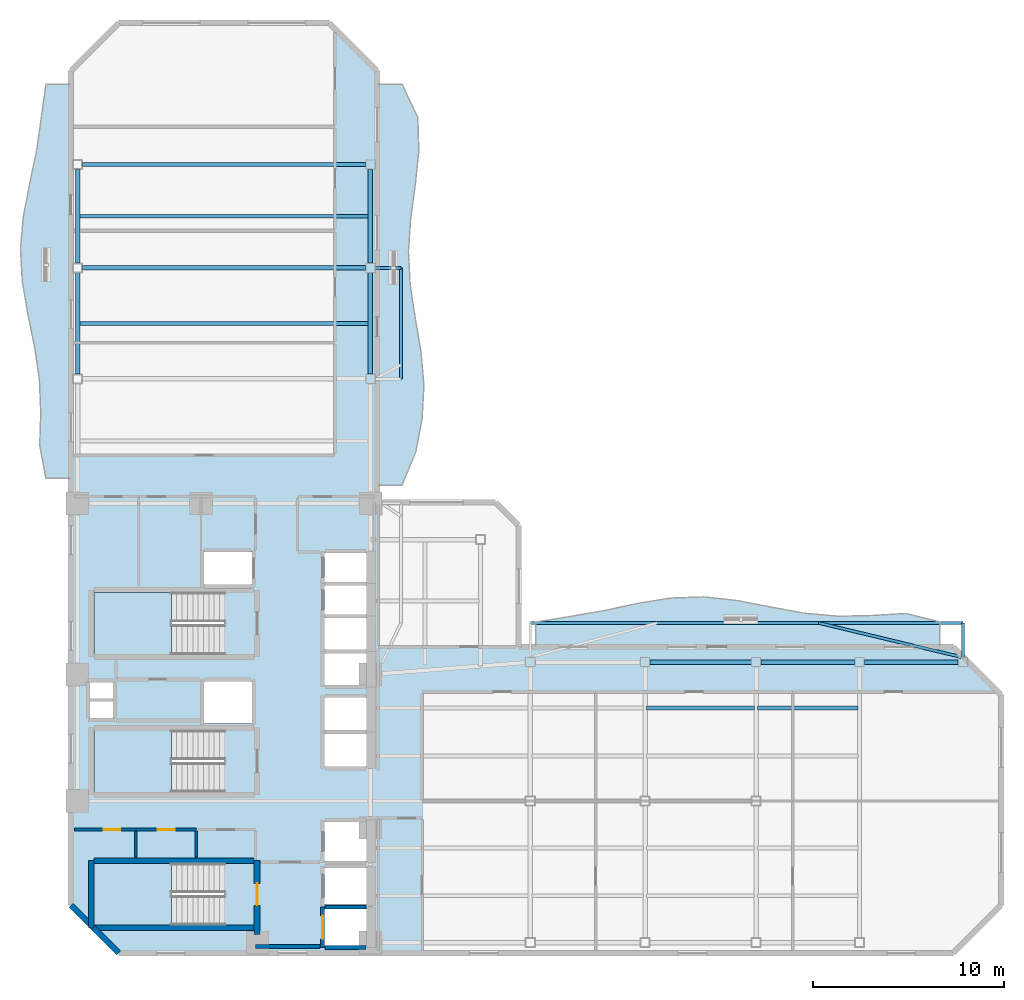
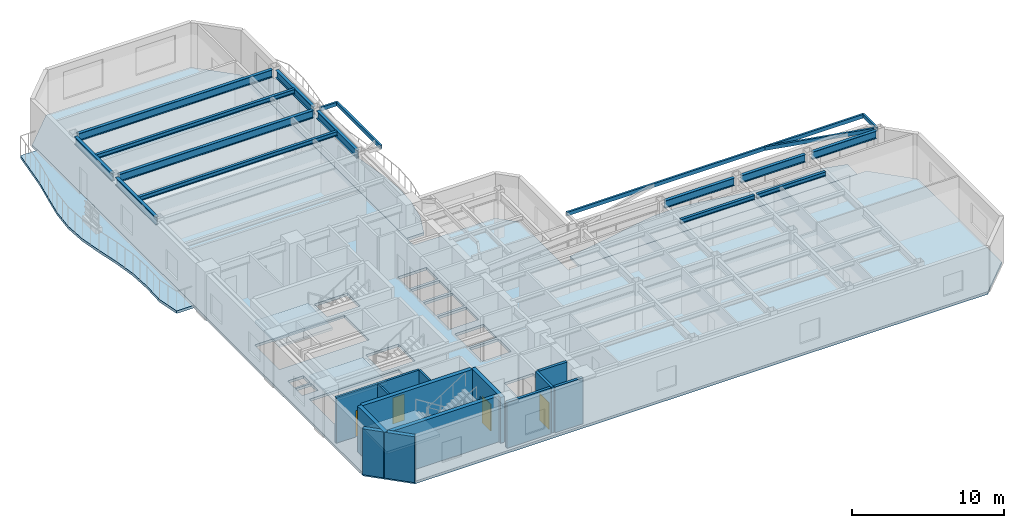
# One storey, part 2 of 9: 18 beams, 13 walls, 7 slabs, 4 doors, 4 openings, 3 elements without a shape of their own.
"""IFC4 building model written with IfcOpenShell, lengths in metres."""

from ifc_helpers import new_model, si_unit, direction, frame, frame_2d, origin, origin_2d, place, context, subcontext, project, spatial, polyline, rectangle, hollow_rectangle, i_section, outline, extrude, material, layer, layer_set, material_profile, profile_set, type_object, element, fill, aggregate, save


model = new_model("IFC4")

# Units and contexts
model_context = context("Model", 3, precision=1e-05, world=origin(), true_north=direction((0.0, 1.0)))
body_context = subcontext(model_context, "Body", "Model", "MODEL_VIEW")
ifc_project = project(units=[si_unit("LENGTHUNIT", "METRE"), si_unit("AREAUNIT", "SQUARE_METRE"), si_unit("VOLUMEUNIT", "CUBIC_METRE"), si_unit("PLANEANGLEUNIT", "RADIAN"), si_unit("MASSUNIT", "GRAM", prefix="KILO")], contexts=[model_context])

# Site, building, storey
site_placement = place(None, origin())
site = spatial("IfcSite", under=ifc_project, at=site_placement, CompositionType="ELEMENT")
building_placement = place(site_placement, origin())
building = spatial("IfcBuilding", under=site, at=building_placement, Name="Mawjaban Terraces University", CompositionType="ELEMENT")
storey_placement = place(building_placement, frame((0.0, 0.0, 154.10009765625)))
storey = spatial("IfcBuildingStorey", under=building, at=storey_placement, Name="L37", CompositionType="ELEMENT", Elevation=154.10009765625)

# Beams
ifc_material_1 = material(Name="Steel EN 10210-1 S355J2H", Category="steel")
ifc_material_profile_1 = material_profile(ifc_material_1, hollow_rectangle(XDim=0.14990234375, YDim=0.300048828125, WallThickness=0.012451171875, at=origin_2d()), Name="RHS300X150X12.5")
ifc_profile_set_1 = profile_set([ifc_material_profile_1], Name="Steel EN 10210-1 S355J2H")
beam_type_1 = type_object("IfcBeamType", Name="BalconyCantileverSpandrel_RHS", PredefinedType="SPANDREL", material=ifc_profile_set_1)
beam_1_placement = place(storey_placement, frame((68.60009765625, 15.449951171875, 3.539794921875), z_axis=(0.0, 1.0, 0.0), x_axis=(-1.0, 0.0, 0.0)))
element("IfcBeam", 1, at=beam_1_placement, inside=storey, type_object=beam_type_1, Name="L37 Exterior Outrigger BAL-L38-N.2", PredefinedType="SPANDREL", context=body_context, shape_type="SweptSolid", body=[
    extrude(hollow_rectangle(XDim=0.14990234375, YDim=0.300048828125, WallThickness=0.012451171875, at=origin_2d()), origin(), (0.0, 0.0, 1.0), 1.800048828125),
])
beam_2_placement = place(storey_placement, frame((46.0, 17.25, 3.539794921875), z_axis=(1.0, 0.0, 0.0), x_axis=(0.0, 1.0, 0.0)))
element("IfcBeam", 2, at=beam_2_placement, inside=storey, type_object=beam_type_1, Name="L37 Exterior Edge Spandrel BAL-L38-N", PredefinedType="SPANDREL", context=body_context, shape_type="SweptSolid", body=[
    extrude(hollow_rectangle(XDim=0.14990234375, YDim=0.300048828125, WallThickness=0.012451171875, at=origin_2d()), origin(), (0.0, 0.0, 1.0), 22.60009765625),
])
beam_3_placement = place(storey_placement, frame((68.60009765625, 15.449951171875, 3.539794921875), z_axis=(-0.972610352435, 0.232441610596, 0.0), x_axis=(-0.232441610596, -0.972610352435, 0.0)))
element("IfcBeam", 3, at=beam_3_placement, inside=storey, type_object=beam_type_1, Name="L37 Exterior Diagonal Strut BAL-L38-N.2", PredefinedType="SPANDREL", context=body_context, shape_type="SweptSolid", body=[
    extrude(hollow_rectangle(XDim=0.14990234375, YDim=0.300048828125, WallThickness=0.012451171875, at=origin_2d()), origin(), (0.0, 0.0, 1.0), 7.744140625),
])
beam_4_placement = place(storey_placement, frame((37.89990234375, 35.800048828125, 3.539794921875), z_axis=(1.0, 0.0, 0.0), x_axis=(0.0, 1.0, 0.0)))
element("IfcBeam", 4, at=beam_4_placement, inside=storey, type_object=beam_type_1, Name="L37 Exterior Outrigger BAL-L38-E.2", PredefinedType="SPANDREL", context=body_context, shape_type="SweptSolid", body=[
    extrude(hollow_rectangle(XDim=0.14990234375, YDim=0.300048828125, WallThickness=0.012451171875, at=origin_2d()), origin(), (0.0, 0.0, 1.0), 1.35009765625),
])
beam_5_placement = place(storey_placement, frame((39.25, 30.0, 3.539794921875), z_axis=(0.0, 1.0, 0.0), x_axis=(-1.0, 0.0, 0.0)))
element("IfcBeam", 5, at=beam_5_placement, inside=storey, type_object=beam_type_1, Name="L37 Exterior Edge Spandrel BAL-L38-E", PredefinedType="SPANDREL", context=body_context, shape_type="SweptSolid", body=[
    extrude(hollow_rectangle(XDim=0.14990234375, YDim=0.300048828125, WallThickness=0.012451171875, at=origin_2d()), origin(), (0.0, 0.0, 1.0), 5.800048828125),
])
ifc_material_2 = material(Name="Steel ASTM A572 Grade 50", Category="steel")
ifc_material_profile_2 = material_profile(ifc_material_2, i_section(OverallWidth=0.22998046875, OverallDepth=0.616943359375, WebThickness=0.01318359375, FlangeThickness=0.022216796875, at=origin_2d()), Name="W610X140")
ifc_profile_set_2 = profile_set([ifc_material_profile_2], Name="Steel ASTM A572 Grade 50")
beam_type_2 = type_object("IfcBeamType", Name="Beam_B_W610X140", PredefinedType="BEAM", material=ifc_profile_set_2)
beam_6_placement = place(storey_placement, frame((52.25, 15.199951171875, 3.380859375), z_axis=(1.0, 0.0, 0.0), x_axis=(0.0, 1.0, 0.0)))
element("IfcBeam", 6, at=beam_6_placement, inside=storey, type_object=beam_type_2, Name="L37 Beam BM-L37-EW-09", PredefinedType="BEAM", context=body_context, shape_type="SweptSolid", body=[
    extrude(i_section(OverallWidth=0.22998046875, OverallDepth=0.616943359375, WebThickness=0.01318359375, FlangeThickness=0.022216796875, at=origin_2d()), origin(), (0.0, 0.0, 1.0), 5.300048828125),
])
beam_7_placement = place(storey_placement, frame((58.050048828125, 15.199951171875, 3.380859375), z_axis=(1.0, 0.0, 0.0), x_axis=(0.0, 1.0, 0.0)))
element("IfcBeam", 7, at=beam_7_placement, inside=storey, type_object=beam_type_2, Name="L37 Beam BM-L37-EW-10", PredefinedType="BEAM", context=body_context, shape_type="SweptSolid", body=[
    extrude(i_section(OverallWidth=0.22998046875, OverallDepth=0.616943359375, WebThickness=0.01318359375, FlangeThickness=0.022216796875, at=origin_2d()), origin(), (0.0, 0.0, 1.0), 4.89990234375),
])
beam_8_placement = place(storey_placement, frame((63.449951171875, 15.199951171875, 3.380859375), z_axis=(1.0, 0.0, 0.0), x_axis=(0.0, 1.0, 0.0)))
element("IfcBeam", 8, at=beam_8_placement, inside=storey, type_object=beam_type_2, Name="L37 Beam BM-L37-EW-11", PredefinedType="BEAM", context=body_context, shape_type="SweptSolid", body=[
    extrude(i_section(OverallWidth=0.22998046875, OverallDepth=0.616943359375, WebThickness=0.01318359375, FlangeThickness=0.022216796875, at=origin_2d()), origin(), (0.0, 0.0, 1.0), 4.900146484375),
])
for number, where, z_axis, x_axis, name in (
    (9, (22.60009765625, 35.800048828125, 3.380859375), (1.0, 0.0, 0.0), (0.0, 1.0, 0.0), "L37 Beam BM-L37-EW-15"),
    (10, (22.60009765625, 41.199951171875, 3.380859375), (1.0, 0.0, 0.0), (0.0, 1.0, 0.0), "L37 Beam BM-L37-EW-16"),
):
    element("IfcBeam", number, at=place(storey_placement, frame(where, z_axis=z_axis, x_axis=x_axis)), inside=storey, type_object=beam_type_2, Name=name, PredefinedType="BEAM", context=body_context, shape_type="SweptSolid", body=[
        extrude(i_section(OverallWidth=0.22998046875, OverallDepth=0.616943359375, WebThickness=0.01318359375, FlangeThickness=0.022216796875, at=origin_2d()), origin(), (0.0, 0.0, 1.0), 14.7998046875),
    ])
beam_9_placement = place(storey_placement, frame((22.35009765625, 30.25, 3.380859375), z_axis=(0.0, 1.0, 0.0), x_axis=(-1.0, 0.0, 0.0)))
element("IfcBeam", 11, at=beam_9_placement, inside=storey, type_object=beam_type_2, Name="L37 Beam BM-L37-NS-04", PredefinedType="BEAM", context=body_context, shape_type="SweptSolid", body=[
    extrude(i_section(OverallWidth=0.22998046875, OverallDepth=0.616943359375, WebThickness=0.01318359375, FlangeThickness=0.022216796875, at=origin_2d()), origin(), (0.0, 0.0, 1.0), 5.300048828125),
])
beam_10_placement = place(storey_placement, frame((22.35009765625, 36.050048828125, 3.380859375), z_axis=(0.0, 1.0, 0.0), x_axis=(-1.0, 0.0, 0.0)))
element("IfcBeam", 12, at=beam_10_placement, inside=storey, type_object=beam_type_2, Name="L37 Beam BM-L37-NS-05", PredefinedType="BEAM", context=body_context, shape_type="SweptSolid", body=[
    extrude(i_section(OverallWidth=0.22998046875, OverallDepth=0.616943359375, WebThickness=0.01318359375, FlangeThickness=0.022216796875, at=origin_2d()), origin(), (0.0, 0.0, 1.0), 4.89990234375),
])
beam_11_placement = place(storey_placement, frame((37.64990234375, 30.25, 3.380859375), z_axis=(0.0, 1.0, 0.0), x_axis=(-1.0, 0.0, 0.0)))
element("IfcBeam", 13, at=beam_11_placement, inside=storey, type_object=beam_type_2, Name="L37 Beam BM-L37-NS-10", PredefinedType="BEAM", context=body_context, shape_type="SweptSolid", body=[
    extrude(i_section(OverallWidth=0.22998046875, OverallDepth=0.616943359375, WebThickness=0.01318359375, FlangeThickness=0.022216796875, at=origin_2d()), origin(), (0.0, 0.0, 1.0), 5.300048828125),
])
beam_12_placement = place(storey_placement, frame((37.64990234375, 36.050048828125, 3.380859375), z_axis=(0.0, 1.0, 0.0), x_axis=(-1.0, 0.0, 0.0)))
element("IfcBeam", 14, at=beam_12_placement, inside=storey, type_object=beam_type_2, Name="L37 Beam BM-L37-NS-11", PredefinedType="BEAM", context=body_context, shape_type="SweptSolid", body=[
    extrude(i_section(OverallWidth=0.22998046875, OverallDepth=0.616943359375, WebThickness=0.01318359375, FlangeThickness=0.022216796875, at=origin_2d()), origin(), (0.0, 0.0, 1.0), 4.89990234375),
])
ifc_material_profile_3 = material_profile(ifc_material_2, i_section(OverallWidth=0.202880859375, OverallDepth=0.346923828125, WebThickness=0.0078125, FlangeThickness=0.013427734375, at=origin_2d()), Name="W360X64")
ifc_profile_set_3 = profile_set([ifc_material_profile_3], Name="Steel ASTM A572 Grade 50")
beam_type_3 = type_object("IfcBeamType", Name="Beam_J_W360X64", PredefinedType="JOIST", material=ifc_profile_set_3)
beam_13_placement = place(storey_placement, frame((52.080078125, 12.800048828125, 3.516845703125), z_axis=(1.0, 0.0, 0.0), x_axis=(0.0, 1.0, 0.0)))
element("IfcBeam", 15, at=beam_13_placement, inside=storey, type_object=beam_type_3, Name="L37 Composite Joist JST-L37-15", PredefinedType="JOIST", context=body_context, shape_type="SweptSolid", body=[
    extrude(i_section(OverallWidth=0.202880859375, OverallDepth=0.346923828125, WebThickness=0.0078125, FlangeThickness=0.013427734375, at=origin_2d()), origin(), (0.0, 0.0, 1.0), 5.639892578125),
])
beam_14_placement = place(storey_placement, frame((57.8798828125, 12.800048828125, 3.516845703125), z_axis=(1.0, 0.0, 0.0), x_axis=(0.0, 1.0, 0.0)))
element("IfcBeam", 16, at=beam_14_placement, inside=storey, type_object=beam_type_3, Name="L37 Composite Joist JST-L37-16", PredefinedType="JOIST", context=body_context, shape_type="SweptSolid", body=[
    extrude(i_section(OverallWidth=0.202880859375, OverallDepth=0.346923828125, WebThickness=0.0078125, FlangeThickness=0.013427734375, at=origin_2d()), origin(), (0.0, 0.0, 1.0), 5.240234375),
])
for number, where, z_axis, x_axis, name in (
    (17, (22.429931640625, 32.89990234375, 3.516845703125), (1.0, 0.0, 0.0), (0.0, 1.0, 0.0), "L37 Composite Joist JST-L37-19"),
    (18, (22.429931640625, 38.5, 3.516845703125), (1.0, 0.0, 0.0), (0.0, 1.0, 0.0), "L37 Composite Joist JST-L37-20"),
):
    element("IfcBeam", number, at=place(storey_placement, frame(where, z_axis=z_axis, x_axis=x_axis)), inside=storey, type_object=beam_type_3, Name=name, PredefinedType="JOIST", context=body_context, shape_type="SweptSolid", body=[
        extrude(i_section(OverallWidth=0.202880859375, OverallDepth=0.346923828125, WebThickness=0.0078125, FlangeThickness=0.013427734375, at=origin_2d()), origin(), (0.0, 0.0, 1.0), 15.14013671875),
    ])

# Slabs
ifc_material_3 = material(Name="Concrete C40/50", Category="concrete")
ifc_layer_1 = layer(ifc_material_3, 0.2099609375)
ifc_layer_set_1 = layer_set([ifc_layer_1], Name="Concrete C40/50")
slab_type_1 = type_object("IfcSlabType", Name="BalconySlab_210_Ext", PredefinedType="FLOOR", material=ifc_layer_set_1)
slab_1_placement = place(storey_placement, frame((0.0, 0.0, -0.210205078125)))
element("IfcSlab", 19, at=slab_1_placement, inside=storey, type_object=slab_type_1, Name="L37 Planted Balcony Slab west", PredefinedType="FLOOR", context=body_context, shape_type="SweptSolid", body=[
    extrude(outline(polyline([(22.010009765625, 24.800048828125), (22.010009765625, 45.39990234375), (20.699951171875, 45.39990234375), (20.4599609375, 43.68310546875), (20.214111328125, 41.967041015625), (19.85693359375, 40.25), (19.52392578125, 38.532958984375), (19.365966796875, 36.81689453125), (19.458984375, 35.10009765625), (19.7529296875, 33.383056640625), (20.10498046875, 31.6669921875), (20.35595703125, 29.949951171875), (20.425048828125, 28.23291015625), (20.37109375, 26.51708984375), (20.699951171875, 24.800048828125), (22.010009765625, 24.800048828125)])), origin(), (0.0, 0.0, 1.0), 0.210205078125),
])
slab_2_placement = place(storey_placement, frame((0.0, 0.0, -0.210205078125)))
element("IfcSlab", 20, at=slab_2_placement, inside=storey, type_object=slab_type_1, Name="L37 Planted Balcony Slab inner_north", PredefinedType="FLOOR", context=body_context, shape_type="SweptSolid", body=[
    extrude(outline(polyline([(46.2939453125, 15.989990234375), (67.39990234375, 15.989990234375), (67.39990234375, 17.300048828125), (65.64111328125, 17.74609375), (63.882080078125, 17.639892578125), (62.1240234375, 17.60009765625), (60.364990234375, 17.7529296875), (58.60595703125, 18.072021484375), (56.846923828125, 18.416015625), (55.087890625, 18.610107421875), (53.3291015625, 18.550048828125), (51.570068359375, 18.262939453125), (49.81201171875, 17.886962890625), (48.052978515625, 17.5830078125), (46.2939453125, 17.300048828125), (46.2939453125, 15.989990234375)])), origin(), (0.0, 0.0, 1.0), 0.210205078125),
])
slab_3_placement = place(storey_placement, frame((0.0, 0.0, -0.210205078125)))
element("IfcSlab", 21, at=slab_3_placement, inside=storey, type_object=slab_type_1, Name="L37 Planted Balcony Slab inner_east", PredefinedType="FLOOR", context=body_context, shape_type="SweptSolid", body=[
    extrude(outline(polyline([(39.300048828125, 24.449951171875), (40.02490234375, 26.196044921875), (40.35107421875, 27.94189453125), (40.444091796875, 29.68798828125), (40.2890625, 31.43310546875), (39.991943359375, 33.178955078125), (39.72607421875, 34.925048828125), (39.635009765625, 36.6708984375), (39.757080078125, 38.4169921875), (39.9970703125, 40.162109375), (40.177001953125, 41.907958984375), (40.1259765625, 43.654052734375), (39.300048828125, 45.39990234375), (37.989990234375, 45.39990234375), (37.989990234375, 24.449951171875), (39.300048828125, 24.449951171875)])), origin(), (0.0, 0.0, 1.0), 0.210205078125),
])
ifc_layer_2 = layer(ifc_material_3, 0.2099609375)
ifc_layer_set_2 = layer_set([ifc_layer_2], Name="Concrete C40/50")
slab_type_2 = type_object("IfcSlabType", Name="CompositeSlab_210", PredefinedType="FLOOR", material=ifc_layer_set_2)
slab_4_placement = place(storey_placement, frame((0.0, 0.0, -0.210205078125)))
element("IfcSlab", 22, at=slab_4_placement, inside=storey, type_object=slab_type_2, Name="L37 Primary Structural Slab", PredefinedType="FLOOR", context=body_context, shape_type="SweptSolid", body=[
    extrude(outline(polyline([(24.5, 0.0), (68.10009765625, 0.0), (70.60009765625, 2.5), (70.60009765625, 13.5), (68.10009765625, 16.0), (45.39404296875, 16.0), (45.39404296875, 22.35009765625), (44.194091796875, 23.550048828125), (38.0, 23.550048828125), (38.0, 46.10009765625), (35.5, 48.60009765625), (24.5, 48.60009765625), (22.0, 46.10009765625), (22.0, 2.5), (24.5, 0.0)]), holes=[polyline([(30.014892578125, 4.699951171875), (23.199951171875, 4.699951171875), (23.199951171875, 1.449951171875), (30.014892578125, 1.449951171875), (30.014892578125, 4.699951171875)]), polyline([(30.014892578125, 18.85009765625), (23.199951171875, 18.85009765625), (23.199951171875, 15.60009765625), (30.014892578125, 15.60009765625), (30.014892578125, 18.85009765625)]), polyline([(30.014892578125, 11.64990234375), (23.199951171875, 11.64990234375), (23.199951171875, 8.39990234375), (30.014892578125, 8.39990234375), (30.014892578125, 11.64990234375)]), polyline([(35.25, 0.39990234375), (37.449951171875, 0.39990234375), (37.449951171875, 2.300048828125), (35.25, 2.300048828125), (35.25, 0.39990234375)]), polyline([(35.25, 2.550048828125), (37.449951171875, 2.550048828125), (37.449951171875, 4.449951171875), (35.25, 4.449951171875), (35.25, 2.550048828125)]), polyline([(35.25, 4.800048828125), (37.449951171875, 4.800048828125), (37.449951171875, 6.85009765625), (35.25, 6.85009765625), (35.25, 4.800048828125)]), polyline([(35.25, 9.75), (37.449951171875, 9.75), (37.449951171875, 11.449951171875), (35.25, 11.449951171875), (35.25, 9.75)]), polyline([(35.25, 11.64990234375), (37.449951171875, 11.64990234375), (37.449951171875, 13.35009765625), (35.25, 13.35009765625), (35.25, 11.64990234375)]), polyline([(28.949951171875, 12.0), (31.449951171875, 12.0), (31.449951171875, 14.199951171875), (28.949951171875, 14.199951171875), (28.949951171875, 12.0)]), polyline([(35.25, 14.0), (37.449951171875, 14.0), (37.449951171875, 15.64990234375), (35.25, 15.64990234375), (35.25, 14.0)]), polyline([(35.25, 15.85009765625), (37.449951171875, 15.85009765625), (37.449951171875, 17.5), (35.25, 17.5), (35.25, 15.85009765625)]), polyline([(35.25, 17.699951171875), (37.449951171875, 17.699951171875), (37.449951171875, 19.199951171875), (35.25, 19.199951171875), (35.25, 17.699951171875)]), polyline([(35.25, 19.39990234375), (37.449951171875, 19.39990234375), (37.449951171875, 20.89990234375), (35.25, 20.89990234375), (35.25, 19.39990234375)]), polyline([(28.949951171875, 19.25), (31.449951171875, 19.25), (31.449951171875, 20.949951171875), (28.949951171875, 20.949951171875), (28.949951171875, 19.25)]), polyline([(23.0, 12.25), (24.199951171875, 12.25), (24.199951171875, 13.14990234375), (23.0, 13.14990234375), (23.0, 12.25)]), polyline([(23.0, 13.300048828125), (24.199951171875, 13.300048828125), (24.199951171875, 14.179931640625), (23.0, 14.179931640625), (23.0, 13.300048828125)])]), origin(), (0.0, 0.0, 1.0), 0.210205078125),
])

# Stair, slab
stair_type = type_object("IfcStairType", Name="Stair_Core1550_H39", PredefinedType="HALF_TURN_STAIR", material=ifc_material_3)
stair_1_placement = place(storey_placement, origin())
stair_1 = element("IfcStair", 23, at=stair_1_placement, inside=storey, type_object=stair_type, Name="L37 Core Exit Stair 1", PredefinedType="HALF_TURN_STAIR")
ifc_layer_3 = layer(ifc_material_3, 0.199951171875)
ifc_layer_set_3 = layer_set([ifc_layer_3], Name="Concrete C40/50")
slab_type_3 = type_object("IfcSlabType", Name="StairLandingSlab_200", PredefinedType="LANDING", material=ifc_layer_set_3)
slab_5_placement = place(storey_placement, frame((0.0, 0.0, 1.75)))
slab_5 = element("IfcSlab", 24, at=slab_5_placement, type_object=slab_type_3, Name="ST-1 landing 1", PredefinedType="LANDING", context=body_context, shape_type="SweptSolid", body=[
    extrude(outline(polyline([(27.25, 4.699951171875), (23.199951171875, 4.699951171875), (23.199951171875, 1.449951171875), (27.25, 1.449951171875), (27.25, 4.699951171875)])), origin(), (0.0, 0.0, 1.0), 0.199951171875),
])
aggregate(stair_1, [slab_5])

stair_2_placement = place(storey_placement, origin())
stair_2 = element("IfcStair", 25, at=stair_2_placement, inside=storey, type_object=stair_type, Name="L37 Core Exit Stair 2", PredefinedType="HALF_TURN_STAIR")
slab_6_placement = place(storey_placement, frame((0.0, 0.0, 1.75)))
slab_6 = element("IfcSlab", 26, at=slab_6_placement, type_object=slab_type_3, Name="ST-2 landing 1", PredefinedType="LANDING", context=body_context, shape_type="SweptSolid", body=[
    extrude(outline(polyline([(27.25, 18.85009765625), (23.199951171875, 18.85009765625), (23.199951171875, 15.60009765625), (27.25, 15.60009765625), (27.25, 18.85009765625)])), origin(), (0.0, 0.0, 1.0), 0.199951171875),
])
aggregate(stair_2, [slab_6])

stair_3_placement = place(storey_placement, origin())
stair_3 = element("IfcStair", 27, at=stair_3_placement, inside=storey, type_object=stair_type, Name="L37 Core Exit Stair 3", PredefinedType="HALF_TURN_STAIR")
slab_7_placement = place(storey_placement, frame((0.0, 0.0, 1.75)))
slab_7 = element("IfcSlab", 28, at=slab_7_placement, type_object=slab_type_3, Name="ST-3 landing 1", PredefinedType="LANDING", context=body_context, shape_type="SweptSolid", body=[
    extrude(outline(polyline([(27.25, 11.64990234375), (23.199951171875, 11.64990234375), (23.199951171875, 8.39990234375), (27.25, 8.39990234375), (27.25, 11.64990234375)])), origin(), (0.0, 0.0, 1.0), 0.199951171875),
])
aggregate(stair_3, [slab_7])

# Wall, opening, door
ifc_material_4 = material(Name="Fire-rated gypsum board on steel stud", Category="steel")
ifc_layer_4 = layer(ifc_material_4, 0.159912109375)
ifc_layer_set_4 = layer_set([ifc_layer_4], Name="Fire-rated gypsum board on steel stud")
wall_type_1 = type_object("IfcWallType", Name="CorridorPartition_160", PredefinedType="PARTITIONING", material=ifc_layer_set_4)
wall_1_placement = place(storey_placement, frame((22.199951171875, 6.449951171875, 0.0), z_axis=(0.0, 0.0, 1.0), x_axis=(1.0, 0.0, 0.0)))
wall_1 = element("IfcWall", 29, at=wall_1_placement, inside=storey, type_object=wall_type_1, Name="L37 Core Washroom Lobby Partition 1", PredefinedType="PARTITIONING", context=body_context, shape_type="SweptSolid", body=[
    extrude(rectangle(XDim=3.199951171875, YDim=0.159912109375, at=frame_2d((1.60009765625, 0.0))), origin(), (0.0, 0.0, 1.0), 3.68994140625),
])
opening_1_placement = place(wall_1_placement, frame((1.510009765625, 0.0, 0.0)))
opening_1 = element("IfcOpeningElement", 30, at=opening_1_placement, cuts=wall_1, Name="Opening ID-088", PredefinedType="OPENING", context=body_context, shape_type="SweptSolid", body=[
    extrude(rectangle(XDim=0.8798828125, YDim=2.10009765625, at=frame_2d((0.43994140625, 1.050048828125))), frame((0.0, 0.08984375, 0.0), z_axis=(0.0, -1.0, 0.0), x_axis=(1.0, 0.0, 0.0)), (0.0, 0.0, 1.0), 0.179931640625),
])
ifc_material_5 = material(Name="Powder-coated steel frame and solid acoustic timber leaf", Category="steel")
door_type_1 = type_object("IfcDoorType", Name="ToiletDoor_880x2100", OperationType="NOTDEFINED", PredefinedType="DOOR", material=ifc_material_5)
door_1_placement = place(opening_1_placement, origin())
door_1 = element("IfcDoor", 31, at=door_1_placement, inside=storey, type_object=door_type_1, Name="L37 Male Toilet Door", OperationType="SINGLE_SWING_LEFT", OverallHeight=2.10009765625, OverallWidth=0.8798828125, PredefinedType="DOOR", context=body_context, shape_type="SweptSolid", body=[
    extrude(rectangle(XDim=0.8798828125, YDim=2.10009765625, at=frame_2d((0.43994140625, 1.050048828125))), frame((0.0, 0.02490234375, 0.0), z_axis=(0.0, -1.0, 0.0), x_axis=(1.0, 0.0, 0.0)), (0.0, 0.0, 1.0), 0.050048828125),
])
fill(opening_1, door_1)

wall_2_placement = place(storey_placement, frame((25.39990234375, 6.449951171875, 0.0), z_axis=(0.0, 0.0, 1.0), x_axis=(1.0, 0.0, 0.0)))
wall_2 = element("IfcWall", 32, at=wall_2_placement, inside=storey, type_object=wall_type_1, Name="L37 Core Washroom Lobby Partition 4", PredefinedType="PARTITIONING", context=body_context, shape_type="SweptSolid", body=[
    extrude(rectangle(XDim=3.150146484375, YDim=0.159912109375, at=frame_2d((1.5751953125, 0.0))), origin(), (0.0, 0.0, 1.0), 3.68994140625),
])
opening_2_placement = place(wall_2_placement, frame((1.135009765625, 0.0, 0.0)))
opening_2 = element("IfcOpeningElement", 33, at=opening_2_placement, cuts=wall_2, Name="Opening ID-088", PredefinedType="OPENING", context=body_context, shape_type="SweptSolid", body=[
    extrude(rectangle(XDim=0.8798828125, YDim=2.10009765625, at=frame_2d((0.43994140625, 1.050048828125))), frame((0.0, 0.08984375, 0.0), z_axis=(0.0, -1.0, 0.0), x_axis=(1.0, 0.0, 0.0)), (0.0, 0.0, 1.0), 0.179931640625),
])
door_2_placement = place(opening_2_placement, origin())
door_2 = element("IfcDoor", 34, at=door_2_placement, inside=storey, type_object=door_type_1, Name="L37 Female Toilet Door", OperationType="SINGLE_SWING_RIGHT", OverallHeight=2.10009765625, OverallWidth=0.8798828125, PredefinedType="DOOR", context=body_context, shape_type="SweptSolid", body=[
    extrude(rectangle(XDim=0.8798828125, YDim=2.10009765625, at=frame_2d((0.43994140625, 1.050048828125))), frame((0.0, 0.02490234375, 0.0), z_axis=(0.0, -1.0, 0.0), x_axis=(1.0, 0.0, 0.0)), (0.0, 0.0, 1.0), 0.050048828125),
])
fill(opening_2, door_2)

# Wall
ifc_material_6 = material(Name="Insulated terracotta rainscreen on concrete backup C40/50", Category="masonry")
ifc_layer_5 = layer(ifc_material_6, 0.300048828125)
ifc_layer_set_5 = layer_set([ifc_layer_5], Name="Insulated terracotta rainscreen on concrete backup C40/50")
wall_type_2 = type_object("IfcWallType", Name="ExtTerracottaWall_300", PredefinedType="SOLIDWALL", material=ifc_layer_set_5)
wall_3_placement = place(storey_placement, frame((22.0, 2.5, 0.0), z_axis=(0.0, 0.0, 1.0), x_axis=(0.707106781187, -0.707106781187, 0.0)))
element("IfcWall", 35, at=wall_3_placement, inside=storey, type_object=wall_type_2, Name="L37 Exterior Terracotta Wall 14", PredefinedType="SOLIDWALL", context=body_context, shape_type="SweptSolid", body=[
    extrude(rectangle(XDim=3.53564453125, YDim=0.300048828125, at=frame_2d((1.767822265625, 0.0))), origin(), (0.0, 0.0, 1.0), 3.68994140625),
])

# Wall, opening, door
ifc_layer_6 = layer(ifc_material_3, 0.199951171875)
ifc_layer_set_6 = layer_set([ifc_layer_6], Name="Concrete C40/50")
wall_type_3 = type_object("IfcWallType", Name="FireLobbyWall_200", PredefinedType="SOLIDWALL", material=ifc_layer_set_6)
wall_4_placement = place(storey_placement, frame((35.14990234375, 2.39990234375, 0.0), z_axis=(0.0, 0.0, 1.0), x_axis=(0.0, -1.0, 0.0)))
wall_4 = element("IfcWall", 36, at=wall_4_placement, inside=storey, type_object=wall_type_3, Name="L37 Lift FL-1 Hoistway Wall West", PredefinedType="SOLIDWALL", context=body_context, shape_type="SweptSolid", body=[
    extrude(rectangle(XDim=2.099853515625, YDim=0.199951171875, at=frame_2d((1.0498046875, 0.0))), origin(), (0.0, 0.0, 1.0), 3.68994140625),
])
opening_3_placement = place(wall_4_placement, frame((0.449951171875, 0.0, 0.0)))
opening_3 = element("IfcOpeningElement", 37, at=opening_3_placement, cuts=wall_4, Name="Opening LD-FL-1", PredefinedType="OPENING", context=body_context, shape_type="SweptSolid", body=[
    extrude(rectangle(XDim=1.199951171875, YDim=2.14990234375, at=frame_2d((0.60009765625, 1.074951171875))), frame((0.0, 0.10986328125, 0.0), z_axis=(0.0, -1.0, 0.0), x_axis=(1.0, 0.0, 0.0)), (0.0, 0.0, 1.0), 0.219970703125),
])
ifc_material_7 = material(Name="Powder-coated steel frame and fire-rated steel-faced leaf", Category="steel")
door_type_2 = type_object("IfcDoorType", Name="LiftLandingFSAE_1200x2150", OperationType="NOTDEFINED", PredefinedType="DOOR", material=ifc_material_7)
door_3_placement = place(opening_3_placement, origin())
door_3 = element("IfcDoor", 38, at=door_3_placement, inside=storey, type_object=door_type_2, Name="L37 Lift FL-1 Sliding Landing Door", OperationType="DOUBLE_DOOR_SLIDING", OverallHeight=2.14990234375, OverallWidth=1.199951171875, PredefinedType="DOOR", context=body_context, shape_type="SweptSolid", body=[
    extrude(rectangle(XDim=1.199951171875, YDim=2.14990234375, at=frame_2d((0.60009765625, 1.074951171875))), frame((0.0, 0.02490234375, 0.0), z_axis=(0.0, -1.0, 0.0), x_axis=(1.0, 0.0, 0.0)), (0.0, 0.0, 1.0), 0.050048828125),
])
fill(opening_3, door_3)

# Walls
for number, where, z_axis, x_axis, name in (
    (39, (35.280029296875, 0.300048828125, 0.0), (0.0, 0.0, 1.0), (1.0, 0.0, 0.0), "L37 Lift FL-1 Hoistway Wall South"),
    (40, (37.419921875, 2.39990234375, 0.0), (0.0, 0.0, 1.0), (-1.0, 0.0, 0.0), "L37 Lift FL-1 Hoistway Wall North"),
):
    element("IfcWall", number, at=place(storey_placement, frame(where, z_axis=z_axis, x_axis=x_axis)), inside=storey, type_object=wall_type_3, Name=name, PredefinedType="SOLIDWALL", context=body_context, shape_type="SweptSolid", body=[
        extrude(rectangle(XDim=2.139892578125, YDim=0.199951171875, at=frame_2d((1.06982421875, 0.0))), origin(), (0.0, 0.0, 1.0), 3.68994140625),
    ])
wall_5_placement = place(storey_placement, frame((31.64990234375, 0.35009765625, 0.0), z_axis=(0.0, 0.0, 1.0), x_axis=(1.0, 0.0, 0.0)))
element("IfcWall", 41, at=wall_5_placement, inside=storey, type_object=wall_type_3, Name="L37 Firefighting Lift Lobby Partition 8", PredefinedType="SOLIDWALL", context=body_context, shape_type="SweptSolid", body=[
    extrude(rectangle(XDim=3.3701171875, YDim=0.199951171875, at=frame_2d((1.68505859375, 0.0))), origin(), (0.0, 0.0, 1.0), 3.68994140625),
])
ifc_material_8 = material(Name="Concrete C60/75", Category="concrete")
ifc_layer_7 = layer(ifc_material_8, 0.300048828125)
ifc_layer_set_7 = layer_set([ifc_layer_7], Name="Concrete C60/75")
wall_type_4 = type_object("IfcWallType", Name="StairShaftWall_300", PredefinedType="SHEAR", material=ifc_layer_set_7)
wall_6_placement = place(storey_placement, frame((31.580078125, 4.830078125, 0.0), z_axis=(0.0, 0.0, 1.0), x_axis=(-1.0, 0.0, 0.0)))
element("IfcWall", 42, at=wall_6_placement, inside=storey, type_object=wall_type_4, Name="L37 ST-1 Stair Shaft Wall 1", PredefinedType="SHEAR", context=body_context, shape_type="SweptSolid", body=[
    extrude(rectangle(XDim=8.360107421875, YDim=0.300048828125, at=frame_2d((4.18017578125, 0.0))), origin(), (0.0, 0.0, 1.0), 3.68994140625),
])
wall_7_placement = place(storey_placement, frame((23.070068359375, 4.830078125, 0.0), z_axis=(0.0, 0.0, 1.0), x_axis=(0.0, -1.0, 0.0)))
element("IfcWall", 43, at=wall_7_placement, inside=storey, type_object=wall_type_4, Name="L37 ST-1 Stair Shaft Wall 2", PredefinedType="SHEAR", context=body_context, shape_type="SweptSolid", body=[
    extrude(rectangle(XDim=3.510009765625, YDim=0.300048828125, at=frame_2d((1.7548828125, 0.0))), origin(), (0.0, 0.0, 1.0), 3.68994140625),
])
wall_8_placement = place(storey_placement, frame((23.219970703125, 1.320068359375, 0.0), z_axis=(0.0, 0.0, 1.0), x_axis=(1.0, 0.0, 0.0)))
element("IfcWall", 44, at=wall_8_placement, inside=storey, type_object=wall_type_4, Name="L37 ST-1 Stair Shaft Wall 3", PredefinedType="SHEAR", context=body_context, shape_type="SweptSolid", body=[
    extrude(rectangle(XDim=8.360107421875, YDim=0.300048828125, at=frame_2d((4.18017578125, 0.0))), origin(), (0.0, 0.0, 1.0), 3.68994140625),
])

# Wall, opening, door
wall_9_placement = place(storey_placement, frame((31.72998046875, 0.9599609375, 0.0), z_axis=(0.0, 0.0, 1.0), x_axis=(0.0, 1.0, 0.0)))
wall_9 = element("IfcWall", 45, at=wall_9_placement, inside=storey, type_object=wall_type_4, Name="L37 ST-1 Stair Shaft Wall 4", PredefinedType="SHEAR", context=body_context, shape_type="SweptSolid", body=[
    extrude(rectangle(XDim=3.8701171875, YDim=0.300048828125, at=frame_2d((1.93505859375, 0.0))), origin(), (0.0, 0.0, 1.0), 3.68994140625),
])
opening_4_placement = place(wall_9_placement, frame((1.5400390625, 0.0, 0.0)))
opening_4 = element("IfcOpeningElement", 46, at=opening_4_placement, cuts=wall_9, Name="Opening FD-115", PredefinedType="OPENING", context=body_context, shape_type="SweptSolid", body=[
    extrude(rectangle(XDim=1.14990234375, YDim=2.14990234375, at=frame_2d((0.574951171875, 1.074951171875))), frame((0.0, 0.159912109375, 0.0), z_axis=(0.0, -1.0, 0.0), x_axis=(1.0, 0.0, 0.0)), (0.0, 0.0, 1.0), 0.320068359375),
])
door_type_3 = type_object("IfcDoorType", Name="FireStairDoor_1150x2150", OperationType="NOTDEFINED", PredefinedType="DOOR", material=ifc_material_7)
door_4_placement = place(opening_4_placement, origin())
door_4 = element("IfcDoor", 47, at=door_4_placement, inside=storey, type_object=door_type_3, Name="L37 ST-1 Pressurised Stair Fire Door", OperationType="SINGLE_SWING_LEFT", OverallHeight=2.14990234375, OverallWidth=1.14990234375, PredefinedType="DOOR", context=body_context, shape_type="SweptSolid", body=[
    extrude(rectangle(XDim=1.14990234375, YDim=2.14990234375, at=frame_2d((0.574951171875, 1.074951171875))), frame((0.0, 0.02490234375, 0.0), z_axis=(0.0, -1.0, 0.0), x_axis=(1.0, 0.0, 0.0)), (0.0, 0.0, 1.0), 0.050048828125),
])
fill(opening_4, door_4)

# Walls
ifc_material_9 = material(Name="Cement-board wet-room partition", Category="masonry")
ifc_layer_8 = layer(ifc_material_9, 0.135009765625)
ifc_layer_set_8 = layer_set([ifc_layer_8], Name="Cement-board wet-room partition")
wall_type_5 = type_object("IfcWallType", Name="WetRoomPartition_135", PredefinedType="PARTITIONING", material=ifc_layer_set_8)
for number, where, z_axis, x_axis, name in (
    (48, (25.39990234375, 5.010009765625, 0.0), (0.0, 0.0, 1.0), (0.0, 1.0, 0.0), "L37 Male Toilet Partition 27"),
    (49, (28.550048828125, 5.010009765625, 0.0), (0.0, 0.0, 1.0), (0.0, 1.0, 0.0), "L37 Female Toilet Partition 29"),
):
    element("IfcWall", number, at=place(storey_placement, frame(where, z_axis=z_axis, x_axis=x_axis)), inside=storey, type_object=wall_type_5, Name=name, PredefinedType="PARTITIONING", context=body_context, shape_type="SweptSolid", body=[
        extrude(rectangle(XDim=1.364990234375, YDim=0.135009765625, at=frame_2d((0.6826171875, 0.0))), origin(), (0.0, 0.0, 1.0), 3.68994140625),
    ])

save(model, "model.ifc")
